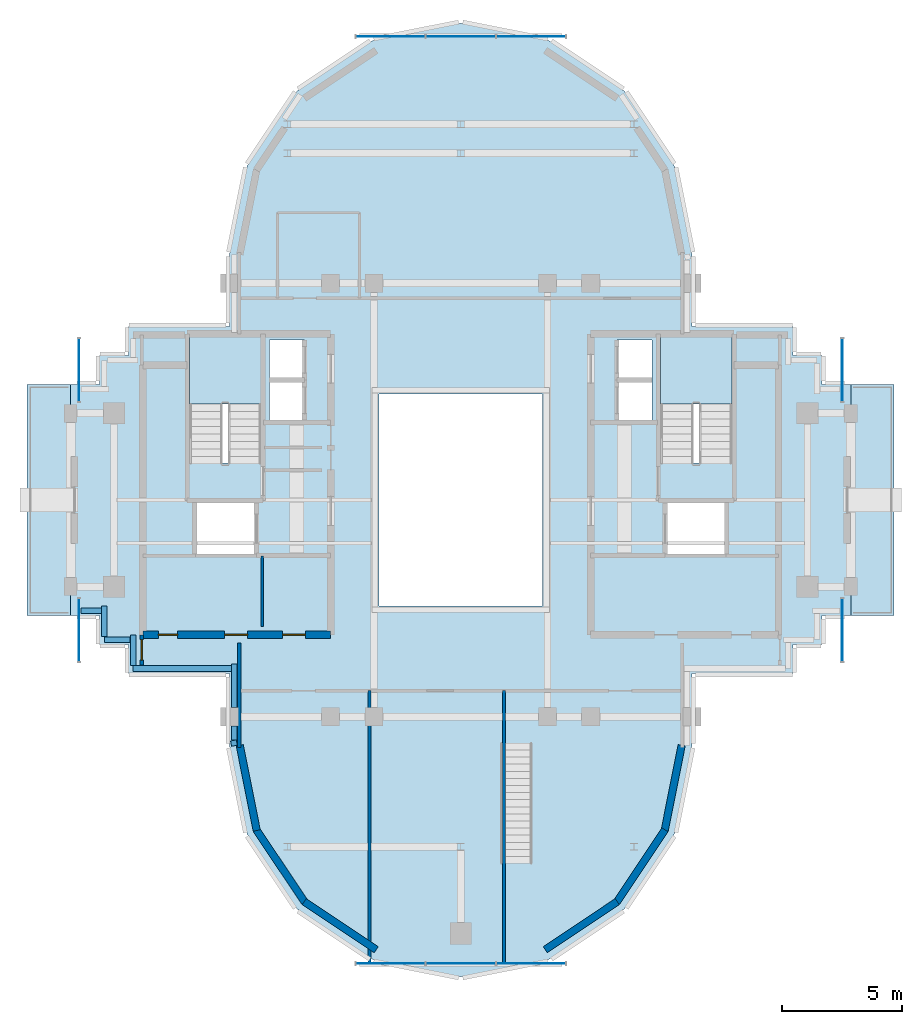
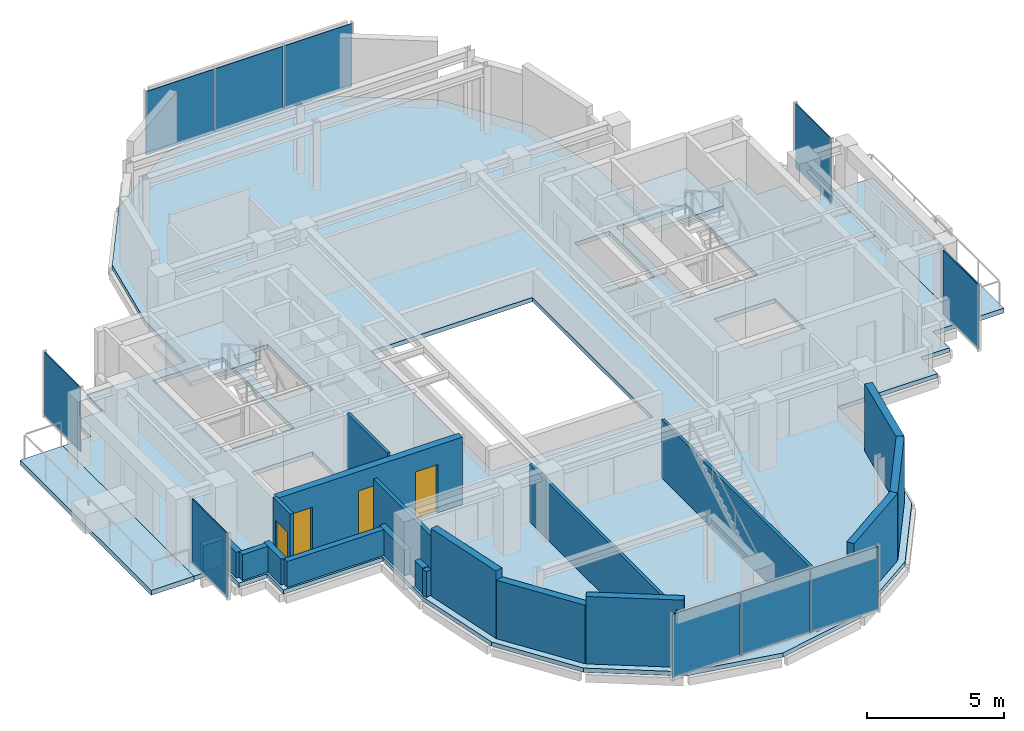
# One storey, part 6 of 12: 20 walls, 10 plates, 5 slabs, 4 doors, 4 openings, 8 elements without a shape of their own.
"""IFC4 building model written with IfcOpenShell, lengths in metres."""

import ifcopenshell
import ifcopenshell.guid

model = None  # the IFC model being written
_history = None  # IfcOwnerHistory: only IFC2X3 demands one
_inside = {}  # id of a spatial element -> (the spatial element, [elements in it])
_under = {}  # id of a project, library or spatial element -> (it, [spatial elements below it])
_declared = {}  # id of a project -> (the project, [libraries it declares])
_typed = {}  # id of a type object -> (the type object, [elements of that type])
_made_of = {}  # id of a material, layer set ... -> (it, [elements and type objects made of it])


def new_model(schema):
    """Start an empty IFC model of exactly this schema.

    Asked for "IFC4X3", IfcOpenShell would pick the latest addendum, in which some entities
    have other attributes; the version numbers below select the first issue.
    IFC2X3 requires an IfcOwnerHistory on every rooted entity: one is made here for all.
    """
    global model, _history
    if schema == "IFC4X3":
        model = ifcopenshell.file(schema_version=(4, 3, 0, 0))
    else:
        model = ifcopenshell.file(schema=schema)
    _inside.clear()
    _under.clear()
    _declared.clear()
    _typed.clear()
    _made_of.clear()
    _history = None
    if model.schema == "IFC2X3":
        org = make("IfcOrganization", Name="unknown")
        user = make(
            "IfcPersonAndOrganization",
            ThePerson=make("IfcPerson", FamilyName="unknown"),
            TheOrganization=org,
        )
        app = make(
            "IfcApplication",
            ApplicationDeveloper=org,
            Version="unknown",
            ApplicationFullName="unknown",
            ApplicationIdentifier="unknown",
        )
        _history = make(
            "IfcOwnerHistory",
            OwningUser=user,
            OwningApplication=app,
            ChangeAction="ADDED",
            CreationDate=0,
        )
    return model


def make(cls, **values):
    """One entity of the class cls with the attributes given. An attribute that is None is left unset."""
    return model.create_entity(
        cls, **{name: value for name, value in values.items() if value is not None}
    )


def rooted(cls, **values):
    """An entity with a GlobalId (a new one), such as an element, a storey or a relation."""
    return make(cls, GlobalId=ifcopenshell.guid.new(), OwnerHistory=_history, **values)


def si_unit(unit_type, name, prefix=None):
    """IfcSIUnit, for example si_unit("LENGTHUNIT", "METRE", prefix="MILLI")."""
    return make("IfcSIUnit", UnitType=unit_type, Prefix=prefix, Name=name)


def assignment(units):
    """IfcUnitAssignment: the units of a project."""
    return None if units is None else make("IfcUnitAssignment", Units=units)


def point(xyz):
    """IfcCartesianPoint."""
    return None if xyz is None else make("IfcCartesianPoint", Coordinates=xyz)


def direction(xyz):
    """IfcDirection."""
    return None if xyz is None else make("IfcDirection", DirectionRatios=xyz)


def frame(location, z_axis=None, x_axis=None):
    """IfcAxis2Placement3D, a coordinate frame: its origin and axes. An axis left out is left unset."""
    return make(
        "IfcAxis2Placement3D",
        Location=point(location),
        Axis=direction(z_axis),
        RefDirection=direction(x_axis),
    )


def frame_2d(location, x_axis=None):
    """IfcAxis2Placement2D, a coordinate frame in the plane: its origin and x axis."""
    return make(
        "IfcAxis2Placement2D", Location=point(location), RefDirection=direction(x_axis)
    )


def origin():
    """The frame at (0, 0, 0) with its axes left unset."""
    return frame((0.0, 0.0, 0.0))


def origin_2d():
    """The frame at (0, 0) in the plane with its x axis left unset."""
    return frame_2d((0.0, 0.0))


def place(relative_to, where):
    """IfcLocalPlacement: puts the frame where relative to a parent placement (None: the world)."""
    return make(
        "IfcLocalPlacement", PlacementRelTo=relative_to, RelativePlacement=where
    )


def context(
    kind, dimensions, precision=None, world=None, true_north=None, identifier=None
):
    """IfcGeometricRepresentationContext, for example the 3D "Model" context."""
    return make(
        "IfcGeometricRepresentationContext",
        ContextIdentifier=identifier,
        ContextType=kind,
        CoordinateSpaceDimension=dimensions,
        Precision=precision,
        WorldCoordinateSystem=world,
        TrueNorth=true_north,
    )


def subcontext(parent, identifier, kind, view, scale=None):
    """IfcGeometricRepresentationSubContext, for example "Body" below "Model"."""
    return make(
        "IfcGeometricRepresentationSubContext",
        ContextIdentifier=identifier,
        ContextType=kind,
        ParentContext=parent,
        TargetScale=scale,
        TargetView=view,
    )


def project(units=None, contexts=None):
    """IfcProject with its units and contexts."""
    return rooted(
        "IfcProject",
        Name="project",
        RepresentationContexts=contexts,
        UnitsInContext=assignment(units),
    )


def spatial(cls, under=None, at=None, **own):
    """A site, building, storey or space (cls), placed at a placement, below another one or the project."""
    s = rooted(cls, ObjectPlacement=at, **own)
    if under is not None:
        _under.setdefault(under.id(), (under, []))[1].append(s)
    return s


def polyline(points):
    """IfcPolyline through the points."""
    return make("IfcPolyline", Points=[point(p) for p in points])


def profile(cls, at=None, kind="AREA", **sizes):
    """A parametric profile (cls). Its sizes go by their IFC names, for example OverallWidth=200.0."""
    return make(cls, ProfileType=kind, Position=at, **sizes)


def rectangle(**sizes):
    """IfcRectangleProfileDef."""
    return profile("IfcRectangleProfileDef", **sizes)


def outline(outer, holes=None, kind="AREA"):
    """IfcArbitraryClosedProfileDef: a profile drawn as a closed curve; with holes, ...WithVoids."""
    if holes is None:
        return make("IfcArbitraryClosedProfileDef", ProfileType=kind, OuterCurve=outer)
    return make(
        "IfcArbitraryProfileDefWithVoids",
        ProfileType=kind,
        OuterCurve=outer,
        InnerCurves=holes,
    )


def extrude(swept, where, along, depth):
    """IfcExtrudedAreaSolid: the profile swept, set in the frame where, extruded along a direction by depth."""
    return make(
        "IfcExtrudedAreaSolid",
        SweptArea=swept,
        Position=where,
        ExtrudedDirection=direction(along),
        Depth=depth,
    )


def shape(context_of_items, identifier, shape_type, items):
    """IfcShapeRepresentation: the items that make up one representation, for example the "Body"."""
    return make(
        "IfcShapeRepresentation",
        ContextOfItems=context_of_items,
        RepresentationIdentifier=identifier,
        RepresentationType=shape_type,
        Items=items,
    )


def source(mapping_origin, context_of_items, identifier, shape_type, items):
    """IfcRepresentationMap: a shape defined once, which mapped items show again and again."""
    return make(
        "IfcRepresentationMap",
        MappingOrigin=mapping_origin,
        MappedRepresentation=shape(context_of_items, identifier, shape_type, items),
    )


def transform(
    local_origin,
    x_axis=None,
    y_axis=None,
    z_axis=None,
    scale=None,
    scale2=None,
    scale3=None,
    uniform=True,
):
    """IfcCartesianTransformationOperator3D, or its non-uniform kind. x_axis, y_axis, z_axis: its Axis1, 2, 3."""
    if uniform:
        return make(
            "IfcCartesianTransformationOperator3D",
            Axis1=direction(x_axis),
            Axis2=direction(y_axis),
            LocalOrigin=point(local_origin),
            Scale=scale,
            Axis3=direction(z_axis),
        )
    return make(
        "IfcCartesianTransformationOperator3DnonUniform",
        Axis1=direction(x_axis),
        Axis2=direction(y_axis),
        LocalOrigin=point(local_origin),
        Scale=scale,
        Axis3=direction(z_axis),
        Scale2=scale2,
        Scale3=scale3,
    )


def mapped(mapping_source, mapping_target):
    """IfcMappedItem: shows the shape of a source again, moved by a transform."""
    return make(
        "IfcMappedItem", MappingSource=mapping_source, MappingTarget=mapping_target
    )


def material(Name=None, Category=None):
    """IfcMaterial."""
    return make("IfcMaterial", Name=Name, Category=Category)


def layer(
    of_material, thickness, ventilated=None, Name=None, Category=None, Priority=None
):
    """IfcMaterialLayer: one layer of a wall or slab, of a material (None: an air gap)."""
    return make(
        "IfcMaterialLayer",
        Material=of_material,
        LayerThickness=thickness,
        IsVentilated=ventilated,
        Name=Name,
        Category=Category,
        Priority=Priority,
    )


def layer_set(layers, Name=None):
    """IfcMaterialLayerSet."""
    return make("IfcMaterialLayerSet", MaterialLayers=layers, LayerSetName=Name)


def made_of(thing, what):
    """Note that an element or type object is made of a material, layer set ...; save() writes the relation."""
    if what is not None:
        _made_of.setdefault(what.id(), (what, []))[1].append(thing)
    return thing


def type_object(cls, material=None, **own):
    """A type object (cls), such as IfcWallType, which elements share."""
    return made_of(rooted(cls, **own), material)


def element(
    cls,
    number,
    at=None,
    inside=None,
    cuts=None,
    type_object=None,
    material=None,
    context=None,
    identifier="Body",
    shape_type=None,
    held_by="IfcProductDefinitionShape",
    body=None,
    shapes=None,
    **own,
):
    """One element of the class cls, such as IfcWall. Its Tag is "e" and its number.

    at: its placement. inside: the storey or other place that contains it. cuts: it is an
    opening in that element (IfcRelVoidsElement). A single representation is given by context,
    identifier, shape_type and body (its items); several are given by shapes. held_by: the class
    of the entity that holds the representations. save() writes the other relations.
    """
    e = rooted(cls, Tag="e%d" % number, ObjectPlacement=at, **own)
    if body is not None:
        shapes = [shape(context, identifier, shape_type, body)]
    if shapes is not None:
        e.Representation = make(held_by, Representations=shapes)
    if inside is not None:
        _inside.setdefault(inside.id(), (inside, []))[1].append(e)
    if cuts is not None:
        rooted(
            "IfcRelVoidsElement", RelatingBuildingElement=cuts, RelatedOpeningElement=e
        )
    if type_object is not None:
        _typed.setdefault(type_object.id(), (type_object, []))[1].append(e)
    return made_of(e, material)


def fill(opening, filler):
    """IfcRelFillsElement: the door or window that sits in an opening."""
    return rooted(
        "IfcRelFillsElement",
        RelatingOpeningElement=opening,
        RelatedBuildingElement=filler,
    )


def aggregate(whole, parts):
    """IfcRelAggregates: a whole, such as a stair, and the parts it consists of."""
    return rooted("IfcRelAggregates", RelatingObject=whole, RelatedObjects=parts)


def save(model, path):
    """Write the relations noted so far, then the file.

    IfcRelAggregates (storeys below a building ...), IfcRelContainedInSpatialStructure (elements
    in a storey), IfcRelDefinesByType, IfcRelAssociatesMaterial and IfcRelDeclares: one each for
    every whole, place, type object, material and project.
    """
    for whole, parts in _under.values():
        aggregate(whole, parts)
    for where, things in _inside.values():
        rooted(
            "IfcRelContainedInSpatialStructure",
            RelatedElements=things,
            RelatingStructure=where,
        )
    for kind, things in _typed.values():
        rooted("IfcRelDefinesByType", RelatedObjects=things, RelatingType=kind)
    for what, things in _made_of.values():
        rooted("IfcRelAssociatesMaterial", RelatedObjects=things, RelatingMaterial=what)
    for by, libraries in _declared.values():
        rooted("IfcRelDeclares", RelatingContext=by, RelatedDefinitions=libraries)
    model.write(path)


model = new_model("IFC4")

# Units and contexts
model_context = context("Model", 3, precision=1e-05, world=origin(), true_north=direction((0.0, 1.0)))
body_context = subcontext(model_context, "Body", "Model", "MODEL_VIEW")
ifc_project = project(units=[si_unit("LENGTHUNIT", "METRE"), si_unit("AREAUNIT", "SQUARE_METRE"), si_unit("VOLUMEUNIT", "CUBIC_METRE"), si_unit("PLANEANGLEUNIT", "RADIAN"), si_unit("MASSUNIT", "GRAM", prefix="KILO")], contexts=[model_context])

# Site, building, storey
site_placement = place(None, origin())
site = spatial("IfcSite", under=ifc_project, at=site_placement, CompositionType="ELEMENT")
building_placement = place(site_placement, origin())
building = spatial("IfcBuilding", under=site, at=building_placement, Name="Keilestroom Media Tower", CompositionType="ELEMENT")
storey_placement = place(building_placement, frame((0.0, 0.0, 252.39990234375)))
storey = spatial("IfcBuildingStorey", under=building, at=storey_placement, Name="L70", CompositionType="ELEMENT", Elevation=252.39990234375)

# Slabs
ifc_material_1 = material(Name="Concrete C50/60", Category="concrete")
ifc_layer_1 = layer(ifc_material_1, 0.18994140625)
ifc_layer_set_1 = layer_set([ifc_layer_1], Name="Concrete C50/60")
slab_type_1 = type_object("IfcSlabType", Name="Composite-Floor-Slab-190", PredefinedType="FLOOR", material=ifc_layer_set_1)
slab_1_placement = place(storey_placement, frame((0.0, 0.0, -0.18994140625)))
element("IfcSlab", 1, at=slab_1_placement, inside=storey, type_object=slab_type_1, Name="L70 Structural Composite Floor Slab", PredefinedType="FLOOR", context=body_context, shape_type="SweptSolid", body=[
    extrude(outline(polyline([(16.199951171875, -4.800048828125), (16.199951171875, 4.800048828125), (15.0, 4.800048828125), (15.0, 6.0), (13.800048828125, 6.0), (13.800048828125, 7.199951171875), (9.60009765625, 7.199951171875), (9.60009765625, 9.60009765625), (9.60009765625, 10.199951171875), (8.869140625, 13.873779296875), (6.7880859375, 16.98828125), (3.673828125, 19.069091796875), (0.0, 19.800048828125), (-3.673828125, 19.069091796875), (-6.7880859375, 16.98828125), (-8.869140625, 13.873779296875), (-9.60009765625, 10.199951171875), (-9.60009765625, 9.60009765625), (-9.60009765625, 7.199951171875), (-13.800048828125, 7.199951171875), (-13.800048828125, 6.0), (-15.0, 6.0), (-15.0, 4.800048828125), (-16.199951171875, 4.800048828125), (-16.199951171875, -4.800048828125), (-15.0, -4.800048828125), (-15.0, -6.0), (-13.800048828125, -6.0), (-13.800048828125, -7.199951171875), (-9.60009765625, -7.199951171875), (-9.60009765625, -9.60009765625), (-9.60009765625, -10.199951171875), (-8.869140625, -13.873779296875), (-6.7880859375, -16.98828125), (-3.673828125, -19.069091796875), (0.0, -19.800048828125), (3.673828125, -19.069091796875), (6.7880859375, -16.98828125), (8.869140625, -13.873779296875), (9.60009765625, -10.199951171875), (9.60009765625, -9.60009765625), (9.60009765625, -7.199951171875), (13.800048828125, -7.199951171875), (13.800048828125, -6.0), (15.0, -6.0), (15.0, -4.800048828125), (16.199951171875, -4.800048828125)]), holes=[polyline([(-8.300048828125, 1.544921875), (-11.260009765625, 1.544921875), (-11.260009765625, 6.760009765625), (-8.300048828125, 6.760009765625), (-8.300048828125, 1.544921875)]), polyline([(-8.47998046875, -2.280029296875), (-11.050048828125, -2.280029296875), (-11.050048828125, -0.10009765625), (-8.47998046875, -0.10009765625), (-8.47998046875, -2.280029296875)]), polyline([(-6.47998046875, 3.300048828125), (-7.949951171875, 3.300048828125), (-7.949951171875, 6.64990234375), (-6.47998046875, 6.64990234375), (-6.47998046875, 3.300048828125)]), polyline([(3.39990234375, -4.39990234375), (-3.39990234375, -4.39990234375), (-3.39990234375, 4.39990234375), (3.39990234375, 4.39990234375), (3.39990234375, -4.39990234375)]), polyline([(7.949951171875, 3.300048828125), (6.47998046875, 3.300048828125), (6.47998046875, 6.64990234375), (7.949951171875, 6.64990234375), (7.949951171875, 3.300048828125)]), polyline([(11.260009765625, 1.544921875), (8.300048828125, 1.544921875), (8.300048828125, 6.760009765625), (11.260009765625, 6.760009765625), (11.260009765625, 1.544921875)]), polyline([(11.050048828125, -2.280029296875), (8.47998046875, -2.280029296875), (8.47998046875, -0.10009765625), (11.050048828125, -0.10009765625), (11.050048828125, -2.280029296875)])]), origin(), (0.0, 0.0, 1.0), 0.18994140625),
])
ifc_material_2 = material(Name="Concrete C45/55", Category="concrete")
ifc_layer_2 = layer(ifc_material_2, 0.219970703125)
ifc_layer_set_2 = layer_set([ifc_layer_2], Name="Concrete C45/55")
slab_type_2 = type_object("IfcSlabType", Name="Exterior-Terrace-And-Sky-Garden-Slab-220", PredefinedType="FLOOR", material=ifc_layer_set_2)
slab_2_placement = place(storey_placement, frame((0.0, 0.0, -0.219970703125)))
element("IfcSlab", 2, at=slab_2_placement, inside=storey, type_object=slab_type_2, Name="L70 Planted Sky-Garden Terrace Slab L70-CUP-TERR-W", PredefinedType="FLOOR", context=body_context, shape_type="SweptSolid", body=[
    extrude(outline(polyline([(-18.0, -4.800048828125), (-16.199951171875, -4.800048828125), (-16.199951171875, 4.800048828125), (-18.0, 4.800048828125), (-18.0, -4.800048828125)])), origin(), (0.0, 0.0, 1.0), 0.219970703125),
])
slab_3_placement = place(storey_placement, frame((0.0, 0.0, -0.219970703125)))
element("IfcSlab", 3, at=slab_3_placement, inside=storey, type_object=slab_type_2, Name="L70 Planted Sky-Garden Terrace Slab L70-CUP-TERR-E", PredefinedType="FLOOR", context=body_context, shape_type="SweptSolid", body=[
    extrude(outline(polyline([(16.199951171875, -4.800048828125), (18.0, -4.800048828125), (18.0, 4.800048828125), (16.199951171875, 4.800048828125), (16.199951171875, -4.800048828125)])), origin(), (0.0, 0.0, 1.0), 0.219970703125),
])

# Stair, slab
stair_type = type_object("IfcStairType", Name="Enclosed-Dog-Leg-Stair-ST-CORE", PredefinedType="HALF_TURN_STAIR", material=ifc_material_2)
stair_1_placement = place(storey_placement, origin())
stair_1 = element("IfcStair", 4, at=stair_1_placement, inside=storey, type_object=stair_type, Name="L70 West Core Escape Stair ST-1", PredefinedType="HALF_TURN_STAIR")
ifc_layer_3 = layer(ifc_material_2, 0.199951171875)
ifc_layer_set_3 = layer_set([ifc_layer_3], Name="Concrete C45/55")
slab_type_3 = type_object("IfcSlabType", Name="Stair-Intermediate-And-Top-Landing-Slab-200", PredefinedType="LANDING", material=ifc_layer_set_3)
slab_4_placement = place(storey_placement, frame((0.0, 0.0, 1.400146484375)))
slab_4 = element("IfcSlab", 5, at=slab_4_placement, type_object=slab_type_3, Name="ST-1 landing 1", PredefinedType="LANDING", context=body_context, shape_type="SweptSolid", body=[
    extrude(outline(polyline([(-8.300048828125, 3.99609375), (-8.300048828125, 6.760009765625), (-11.260009765625, 6.760009765625), (-11.260009765625, 3.99609375), (-8.300048828125, 3.99609375)])), origin(), (0.0, 0.0, 1.0), 0.199951171875),
])
aggregate(stair_1, [slab_4])

stair_2_placement = place(storey_placement, origin())
stair_2 = element("IfcStair", 6, at=stair_2_placement, inside=storey, type_object=stair_type, Name="L70 East Core Escape Stair ST-2", PredefinedType="HALF_TURN_STAIR")
slab_5_placement = place(storey_placement, frame((0.0, 0.0, 1.400146484375)))
slab_5 = element("IfcSlab", 7, at=slab_5_placement, type_object=slab_type_3, Name="ST-2 landing 1", PredefinedType="LANDING", context=body_context, shape_type="SweptSolid", body=[
    extrude(outline(polyline([(11.260009765625, 3.99609375), (11.260009765625, 6.760009765625), (8.300048828125, 6.760009765625), (8.300048828125, 3.99609375), (11.260009765625, 3.99609375)])), origin(), (0.0, 0.0, 1.0), 0.199951171875),
])
aggregate(stair_2, [slab_5])

# Curtain wall, plates
ifc_material_3 = material(Name="Anodised Aluminium Alloy", Category="aluminium")
curtain_wall_type_1 = type_object("IfcCurtainWallType", Name="Unitised-Curtain-Wall-CW-6", PredefinedType="NOTDEFINED", material=ifc_material_3)
curtain_wall_1_placement = place(storey_placement, origin())
curtain_wall_1 = element("IfcCurtainWall", 8, at=curtain_wall_1_placement, inside=storey, type_object=curtain_wall_type_1, Name="L70 Curtain Wall CW-6 CW-L70-LN-1", PredefinedType="NOTDEFINED")
ifc_material_4 = material(Name="Curved-Facet Triple Glazed Unit", Category="glass")
ifc_layer_4 = layer(ifc_material_4, 0.033935546875)
ifc_layer_set_4 = layer_set([ifc_layer_4], Name="Curved-Facet Triple Glazed Unit")
plate_type_1 = type_object("IfcPlateType", Name="Insulated-Curtain-Wall-Glazing-Panel-CW-6", PredefinedType="CURTAIN_PANEL", material=ifc_layer_set_4)
shared_shape_1 = source(origin(), body_context, "Body", "SweptSolid", [
    extrude(rectangle(XDim=2.84375, YDim=0.033935546875, at=origin_2d()), origin(), (0.0, 0.0, 1.0), 2.833984375),
])
plate_1_placement = place(storey_placement, frame((-2.9169921875, 19.25, 0.072998046875), z_axis=(0.0, 0.0, 1.0), x_axis=(1.0, 0.0, 0.0)))
plate_1 = element("IfcPlate", 9, at=plate_1_placement, type_object=plate_type_1, Name="CW-6 Unitised Glazing 00", PredefinedType="CURTAIN_PANEL", context=body_context, shape_type="MappedRepresentation", body=[
    mapped(shared_shape_1, transform((0.0, 0.0, 0.0), x_axis=(1.0, 0.0, 0.0), y_axis=(0.0, 1.0, 0.0), z_axis=(0.0, 0.0, 1.0), scale=1.0)),
])
plate_2_placement = place(storey_placement, frame((2.9169921875, 19.25, 0.072998046875), z_axis=(0.0, 0.0, 1.0), x_axis=(1.0, 0.0, 0.0)))
plate_2 = element("IfcPlate", 10, at=plate_2_placement, type_object=plate_type_1, Name="CW-6 Unitised Glazing 02", PredefinedType="CURTAIN_PANEL", context=body_context, shape_type="MappedRepresentation", body=[
    mapped(shared_shape_1, transform((0.0, 0.0, 0.0), x_axis=(1.0, 0.0, 0.0), y_axis=(0.0, 1.0, 0.0), z_axis=(0.0, 0.0, 1.0), scale=1.0)),
])

curtain_wall_2_placement = place(storey_placement, origin())
curtain_wall_2 = element("IfcCurtainWall", 11, at=curtain_wall_2_placement, inside=storey, type_object=curtain_wall_type_1, Name="L70 Curtain Wall CW-6 CW-L70-LS-1", PredefinedType="NOTDEFINED")
plate_3_placement = place(storey_placement, frame((-2.9169921875, -19.25, 0.072998046875), z_axis=(0.0, 0.0, 1.0), x_axis=(1.0, 0.0, 0.0)))
plate_3 = element("IfcPlate", 12, at=plate_3_placement, type_object=plate_type_1, Name="CW-6 Unitised Glazing 00", PredefinedType="CURTAIN_PANEL", context=body_context, shape_type="MappedRepresentation", body=[
    mapped(shared_shape_1, transform((0.0, 0.0, 0.0), x_axis=(1.0, 0.0, 0.0), y_axis=(0.0, 1.0, 0.0), z_axis=(0.0, 0.0, 1.0), scale=1.0)),
])
plate_4_placement = place(storey_placement, frame((2.9169921875, -19.25, 0.072998046875), z_axis=(0.0, 0.0, 1.0), x_axis=(1.0, 0.0, 0.0)))
plate_4 = element("IfcPlate", 13, at=plate_4_placement, type_object=plate_type_1, Name="CW-6 Unitised Glazing 02", PredefinedType="CURTAIN_PANEL", context=body_context, shape_type="MappedRepresentation", body=[
    mapped(shared_shape_1, transform((0.0, 0.0, 0.0), x_axis=(1.0, 0.0, 0.0), y_axis=(0.0, 1.0, 0.0), z_axis=(0.0, 0.0, 1.0), scale=1.0)),
])

# Plate
shared_shape_2 = source(origin(), body_context, "Body", "SweptSolid", [
    extrude(rectangle(XDim=2.876220703125, YDim=0.033935546875, at=origin_2d()), origin(), (0.0, 0.0, 1.0), 2.833984375),
])
plate_5_placement = place(storey_placement, frame((0.0, 19.25, 0.072998046875), z_axis=(0.0, 0.0, 1.0), x_axis=(1.0, 0.0, 0.0)))
plate_5 = element("IfcPlate", 14, at=plate_5_placement, type_object=plate_type_1, Name="CW-6 Unitised Glazing 01", PredefinedType="CURTAIN_PANEL", context=body_context, shape_type="MappedRepresentation", body=[
    mapped(shared_shape_2, transform((0.0, 0.0, 0.0), x_axis=(1.0, 0.0, 0.0), y_axis=(0.0, 1.0, 0.0), z_axis=(0.0, 0.0, 1.0), scale=1.0)),
])

aggregate(curtain_wall_1, [plate_1, plate_5, plate_2])

plate_6_placement = place(storey_placement, frame((0.0, -19.25, 0.072998046875), z_axis=(0.0, 0.0, 1.0), x_axis=(1.0, 0.0, 0.0)))
plate_6 = element("IfcPlate", 15, at=plate_6_placement, type_object=plate_type_1, Name="CW-6 Unitised Glazing 01", PredefinedType="CURTAIN_PANEL", context=body_context, shape_type="MappedRepresentation", body=[
    mapped(shared_shape_2, transform((0.0, 0.0, 0.0), x_axis=(1.0, 0.0, 0.0), y_axis=(0.0, 1.0, 0.0), z_axis=(0.0, 0.0, 1.0), scale=1.0)),
])

aggregate(curtain_wall_2, [plate_3, plate_6, plate_4])

# Curtain wall, plate
curtain_wall_type_2 = type_object("IfcCurtainWallType", Name="Unitised-Curtain-Wall-CW-4", PredefinedType="NOTDEFINED", material=ifc_material_3)
curtain_wall_3_placement = place(storey_placement, origin())
curtain_wall_3 = element("IfcCurtainWall", 16, at=curtain_wall_3_placement, inside=storey, type_object=curtain_wall_type_2, Name="L70 Curtain Wall CW-4 CW-L70-W-1", PredefinedType="NOTDEFINED")
ifc_material_5 = material(Name="Triple Glazed Solar-Control Unit", Category="glass")
ifc_layer_5 = layer(ifc_material_5, 0.035888671875)
ifc_layer_set_5 = layer_set([ifc_layer_5], Name="Triple Glazed Solar-Control Unit")
plate_type_2 = type_object("IfcPlateType", Name="Insulated-Curtain-Wall-Glazing-Panel-CW-4", PredefinedType="CURTAIN_PANEL", material=ifc_layer_set_5)
shared_shape_3 = source(origin(), body_context, "Body", "SweptSolid", [
    extrude(rectangle(XDim=2.60302734375, YDim=0.035888671875, at=origin_2d()), origin(), (0.0, 0.0, 1.0), 2.85400390625),
])
plate_7_placement = place(storey_placement, frame((-15.85009765625, -5.392578125, 0.06298828125), z_axis=(0.0, 0.0, 1.0), x_axis=(0.0, 1.0, 0.0)))
plate_7 = element("IfcPlate", 17, at=plate_7_placement, type_object=plate_type_2, Name="CW-4 Unitised Glazing 00", PredefinedType="CURTAIN_PANEL", context=body_context, shape_type="MappedRepresentation", body=[
    mapped(shared_shape_3, transform((0.0, 0.0, 0.0), x_axis=(1.0, 0.0, 0.0), y_axis=(0.0, 1.0, 0.0), z_axis=(0.0, 0.0, 1.0), scale=1.0)),
])
aggregate(curtain_wall_3, [plate_7])

curtain_wall_4_placement = place(storey_placement, origin())
curtain_wall_4 = element("IfcCurtainWall", 18, at=curtain_wall_4_placement, inside=storey, type_object=curtain_wall_type_2, Name="L70 Curtain Wall CW-4 CW-L70-W-2", PredefinedType="NOTDEFINED")
plate_8_placement = place(storey_placement, frame((-15.85009765625, 5.392578125, 0.06298828125), z_axis=(0.0, 0.0, 1.0), x_axis=(0.0, 1.0, 0.0)))
plate_8 = element("IfcPlate", 19, at=plate_8_placement, type_object=plate_type_2, Name="CW-4 Unitised Glazing 00", PredefinedType="CURTAIN_PANEL", context=body_context, shape_type="MappedRepresentation", body=[
    mapped(shared_shape_3, transform((0.0, 0.0, 0.0), x_axis=(1.0, 0.0, 0.0), y_axis=(0.0, 1.0, 0.0), z_axis=(0.0, 0.0, 1.0), scale=1.0)),
])
aggregate(curtain_wall_4, [plate_8])

curtain_wall_5_placement = place(storey_placement, origin())
curtain_wall_5 = element("IfcCurtainWall", 20, at=curtain_wall_5_placement, inside=storey, type_object=curtain_wall_type_2, Name="L70 Curtain Wall CW-4 CW-L70-E-1", PredefinedType="NOTDEFINED")
plate_9_placement = place(storey_placement, frame((15.85009765625, -5.392578125, 0.06298828125), z_axis=(0.0, 0.0, 1.0), x_axis=(0.0, 1.0, 0.0)))
plate_9 = element("IfcPlate", 21, at=plate_9_placement, type_object=plate_type_2, Name="CW-4 Unitised Glazing 00", PredefinedType="CURTAIN_PANEL", context=body_context, shape_type="MappedRepresentation", body=[
    mapped(shared_shape_3, transform((0.0, 0.0, 0.0), x_axis=(1.0, 0.0, 0.0), y_axis=(0.0, 1.0, 0.0), z_axis=(0.0, 0.0, 1.0), scale=1.0)),
])
aggregate(curtain_wall_5, [plate_9])

curtain_wall_6_placement = place(storey_placement, origin())
curtain_wall_6 = element("IfcCurtainWall", 22, at=curtain_wall_6_placement, inside=storey, type_object=curtain_wall_type_2, Name="L70 Curtain Wall CW-4 CW-L70-E-2", PredefinedType="NOTDEFINED")
plate_10_placement = place(storey_placement, frame((15.85009765625, 5.392578125, 0.06298828125), z_axis=(0.0, 0.0, 1.0), x_axis=(0.0, 1.0, 0.0)))
plate_10 = element("IfcPlate", 23, at=plate_10_placement, type_object=plate_type_2, Name="CW-4 Unitised Glazing 00", PredefinedType="CURTAIN_PANEL", context=body_context, shape_type="MappedRepresentation", body=[
    mapped(shared_shape_3, transform((0.0, 0.0, 0.0), x_axis=(1.0, 0.0, 0.0), y_axis=(0.0, 1.0, 0.0), z_axis=(0.0, 0.0, 1.0), scale=1.0)),
])
aggregate(curtain_wall_6, [plate_10])

# Walls
ifc_material_6 = material(Name="Precast concrete C40/50", Category="concrete")
ifc_layer_6 = layer(ifc_material_6, 0.300048828125)
ifc_layer_set_6 = layer_set([ifc_layer_6], Name="Precast concrete C40/50")
wall_type_1 = type_object("IfcWallType", Name="Exterior-Masonry-Spandrel-Wall-300", PredefinedType="SOLIDWALL", material=ifc_layer_set_6)
wall_1_placement = place(storey_placement, frame((-9.1748046875, -10.185302734375, 0.0), z_axis=(0.0, 0.0, 1.0), x_axis=(0.195114232679, -0.980780523974, 0.0)))
element("IfcWall", 24, at=wall_1_placement, inside=storey, type_object=wall_type_1, Name="L70 Lobe Facet Precast Frame Wall 07", PredefinedType="SOLIDWALL", context=body_context, shape_type="SweptSolid", body=[
    extrude(rectangle(XDim=3.608642578125, YDim=0.300048828125, at=frame_2d((1.80419921875, 0.0))), origin(), (0.0, 0.0, 1.0), 3.010009765625),
])
wall_2_placement = place(storey_placement, frame((-8.48193359375, -13.697509765625, 0.0), z_axis=(0.0, 0.0, 1.0), x_axis=(0.555574187116, -0.831466970246, 0.0)))
element("IfcWall", 25, at=wall_2_placement, inside=storey, type_object=wall_type_1, Name="L70 Lobe Facet Precast Frame Wall 08", PredefinedType="SOLIDWALL", context=body_context, shape_type="SweptSolid", body=[
    extrude(rectangle(XDim=3.608642578125, YDim=0.300048828125, at=frame_2d((1.80419921875, 0.0))), origin(), (0.0, 0.0, 1.0), 2.610107421875),
])
for number, where, z_axis, x_axis, name in (
    (26, (-6.497802734375, -16.677001953125, 0.0), (0.0, 0.0, 1.0), (0.831443568068, -0.555609208993, 0.0), "L70 Lobe Facet Precast Frame Wall 09"),
    (27, (3.510009765625, -18.673583984375, 0.0), (0.0, 0.0, 1.0), (0.831443568068, 0.555609208993, 0.0), "L70 Lobe Facet Precast Frame Wall 10"),
):
    element("IfcWall", number, at=place(storey_placement, frame(where, z_axis=z_axis, x_axis=x_axis)), inside=storey, type_object=wall_type_1, Name=name, PredefinedType="SOLIDWALL", context=body_context, shape_type="SweptSolid", body=[
        extrude(rectangle(XDim=3.593505859375, YDim=0.300048828125, at=frame_2d((1.796875, 0.0))), origin(), (0.0, 0.0, 1.0), 3.010009765625),
    ])
for number, where, z_axis, x_axis, name in (
    (28, (6.47705078125, -16.697998046875, 0.0), (0.0, 0.0, 1.0), (0.555574187116, 0.831466970246, 0.0), "L70 Lobe Facet Precast Frame Wall 11"),
    (29, (8.470703125, -13.724609375, 0.0), (0.0, 0.0, 1.0), (0.195114232679, 0.980780523974, 0.0), "L70 Lobe Facet Precast Frame Wall 12"),
):
    element("IfcWall", number, at=place(storey_placement, frame(where, z_axis=z_axis, x_axis=x_axis)), inside=storey, type_object=wall_type_1, Name=name, PredefinedType="SOLIDWALL", context=body_context, shape_type="SweptSolid", body=[
        extrude(rectangle(XDim=3.608642578125, YDim=0.300048828125, at=frame_2d((1.80419921875, 0.0))), origin(), (0.0, 0.0, 1.0), 3.010009765625),
    ])
ifc_material_7 = material(Name="Gypsum Plasterboard & Steel Stud", Category="steel")
ifc_layer_7 = layer(ifc_material_7, 0.1201171875)
ifc_layer_set_7 = layer_set([ifc_layer_7], Name="Gypsum Plasterboard & Steel Stud")
wall_type_2 = type_object("IfcWallType", Name="Interior-Partition-Wall-120", PredefinedType="PARTITIONING", material=ifc_layer_set_7)
wall_3_placement = place(storey_placement, frame((-8.239990234375, -5.260009765625, 0.0), z_axis=(0.0, 0.0, 1.0), x_axis=(0.0, 1.0, 0.0)))
element("IfcWall", 30, at=wall_3_placement, inside=storey, type_object=wall_type_2, Name="L70 Interior Wall WP-L70-RECMW-M", PredefinedType="PARTITIONING", context=body_context, shape_type="SweptSolid", body=[
    extrude(rectangle(XDim=2.93994140625, YDim=0.1201171875, at=frame_2d((1.469970703125, 0.0))), origin(), (0.0, 0.0, 1.0), 3.010009765625),
])
wall_4_placement = place(storey_placement, frame((-3.780029296875, -19.25, 0.0), z_axis=(0.0, 0.0, 1.0), x_axis=(0.0, 1.0, 0.0)))
element("IfcWall", 31, at=wall_4_placement, inside=storey, type_object=wall_type_2, Name="L70 Interior Wall WP-L70-SL-V1", PredefinedType="PARTITIONING", context=body_context, shape_type="SweptSolid", body=[
    extrude(rectangle(XDim=11.330078125, YDim=0.1201171875, at=frame_2d((5.6650390625, 0.0))), origin(), (0.0, 0.0, 1.0), 2.570068359375),
])
wall_5_placement = place(storey_placement, frame((1.800048828125, -19.25, 0.0), z_axis=(0.0, 0.0, 1.0), x_axis=(0.0, 1.0, 0.0)))
element("IfcWall", 32, at=wall_5_placement, inside=storey, type_object=wall_type_2, Name="L70 Interior Wall WP-L70-SL-V2", PredefinedType="PARTITIONING", context=body_context, shape_type="SweptSolid", body=[
    extrude(rectangle(XDim=11.330078125, YDim=0.1201171875, at=frame_2d((5.6650390625, 0.0))), origin(), (0.0, 0.0, 1.0), 2.610107421875),
])
ifc_layer_8 = layer(ifc_material_7, 0.14990234375)
ifc_layer_set_8 = layer_set([ifc_layer_8], Name="Gypsum Plasterboard & Steel Stud")
wall_type_3 = type_object("IfcWallType", Name="Interior-Partition-Wall-150", PredefinedType="PARTITIONING", material=ifc_layer_set_8)
wall_6_placement = place(storey_placement, frame((-9.199951171875, -10.280029296875, 0.0), z_axis=(0.0, 0.0, 1.0), x_axis=(0.0, 1.0, 0.0)))
element("IfcWall", 33, at=wall_6_placement, inside=storey, type_object=wall_type_3, Name="L70 Interior Wall WP-L70-SL-CHKW", PredefinedType="PARTITIONING", context=body_context, shape_type="SweptSolid", body=[
    extrude(rectangle(XDim=4.340087890625, YDim=0.14990234375, at=frame_2d((2.169921875, 0.0))), origin(), (0.0, 0.0, 1.0), 2.610107421875),
])

# Wall, opening, door
wall_7_placement = place(storey_placement, frame((-13.25, -6.85009765625, 0.0), z_axis=(0.0, 0.0, 1.0), x_axis=(0.0, 1.0, 0.0)))
wall_7 = element("IfcWall", 34, at=wall_7_placement, inside=storey, type_object=wall_type_3, Name="L70 Interior Wall WP-L70-WA-ENTS", PredefinedType="PARTITIONING", context=body_context, shape_type="SweptSolid", body=[
    extrude(rectangle(XDim=1.25, YDim=0.14990234375, at=frame_2d((0.625, 0.0))), origin(), (0.0, 0.0, 1.0), 3.010009765625),
])
opening_1_placement = place(wall_7_placement, frame((0.199951171875, 0.0, 0.0)))
opening_1 = element("IfcOpeningElement", 35, at=opening_1_placement, cuts=wall_7, Name="Opening DI-05", PredefinedType="OPENING", context=body_context, shape_type="SweptSolid", body=[
    extrude(rectangle(XDim=0.85009765625, YDim=2.10009765625, at=frame_2d((0.425048828125, 1.050048828125))), frame((0.0, 0.0849609375, 0.0), z_axis=(0.0, -1.0, 0.0), x_axis=(1.0, 0.0, 0.0)), (0.0, 0.0, 1.0), 0.169921875),
])
ifc_material_8 = material(Name="Moisture-Resistant Oak Leaf", Category="wood")
door_type_1 = type_object("IfcDoorType", Name="Interior-En-Suite-And-Cupboard-Door-DI-05", OperationType="NOTDEFINED", PredefinedType="DOOR", material=ifc_material_8)
shared_shape_4 = source(origin(), body_context, "Body", "SweptSolid", [
    extrude(rectangle(XDim=0.85009765625, YDim=2.10009765625, at=frame_2d((0.425048828125, 1.050048828125))), frame((0.0, 0.02490234375, 0.0), z_axis=(0.0, -1.0, 0.0), x_axis=(1.0, 0.0, 0.0)), (0.0, 0.0, 1.0), 0.050048828125),
])
door_1_placement = place(opening_1_placement, origin())
door_1 = element("IfcDoor", 36, at=door_1_placement, inside=storey, type_object=door_type_1, Name="L70 Interior Door DI-L70-DWA-CUP", OperationType="SINGLE_SWING_RIGHT", OverallHeight=2.10009765625, OverallWidth=0.85009765625, PredefinedType="DOOR", context=body_context, shape_type="MappedRepresentation", body=[
    mapped(shared_shape_4, transform((0.0, 0.0, 0.0), x_axis=(1.0, 0.0, 0.0), y_axis=(0.0, 1.0, 0.0), z_axis=(0.0, 0.0, 1.0), scale=1.0)),
])
fill(opening_1, door_1)

# Wall, openings, doors
ifc_layer_9 = layer(ifc_material_1, 0.300048828125)
ifc_layer_set_9 = layer_set([ifc_layer_9], Name="Concrete C50/60")
wall_type_4 = type_object("IfcWallType", Name="Reinforced-Concrete-Core-Shear-Wall-300", PredefinedType="SHEAR", material=ifc_layer_set_9)
wall_8_placement = place(storey_placement, frame((-13.199951171875, -5.60009765625, 0.0), z_axis=(0.0, 0.0, 1.0), x_axis=(1.0, 0.0, 0.0)))
wall_8 = element("IfcWall", 37, at=wall_8_placement, inside=storey, type_object=wall_type_4, Name="L70 Core Shear Wall WL-L70-CORE-W-S", PredefinedType="SHEAR", context=body_context, shape_type="SweptSolid", body=[
    extrude(rectangle(XDim=7.800048828125, YDim=0.300048828125, at=frame_2d((3.89990234375, 0.0))), origin(), (0.0, 0.0, 1.0), 3.010009765625),
])
opening_2_placement = place(wall_8_placement, frame((0.64990234375, 0.0, 0.0)))
opening_2 = element("IfcOpeningElement", 38, at=opening_2_placement, cuts=wall_8, Name="Opening DI-06", PredefinedType="OPENING", context=body_context, shape_type="SweptSolid", body=[
    extrude(rectangle(XDim=0.800048828125, YDim=2.10009765625, at=frame_2d((0.39990234375, 1.050048828125))), frame((0.0, 0.16015625, 0.0), z_axis=(0.0, -1.0, 0.0), x_axis=(1.0, 0.0, 0.0)), (0.0, 0.0, 1.0), 0.320068359375),
])
opening_3_placement = place(wall_8_placement, frame((3.39990234375, 0.0, 0.0)))
opening_3 = element("IfcOpeningElement", 39, at=opening_3_placement, cuts=wall_8, Name="Opening DI-03", PredefinedType="OPENING", context=body_context, shape_type="SweptSolid", body=[
    extrude(rectangle(XDim=0.949951171875, YDim=2.14990234375, at=frame_2d((0.47509765625, 1.074951171875))), frame((0.0, 0.16015625, 0.0), z_axis=(0.0, -1.0, 0.0), x_axis=(1.0, 0.0, 0.0)), (0.0, 0.0, 1.0), 0.320068359375),
])
opening_4_placement = place(wall_8_placement, frame((5.800048828125, 0.0, 0.0)))
opening_4 = element("IfcOpeningElement", 40, at=opening_4_placement, cuts=wall_8, Name="Opening DI-03", PredefinedType="OPENING", context=body_context, shape_type="SweptSolid", body=[
    extrude(rectangle(XDim=0.949951171875, YDim=2.14990234375, at=frame_2d((0.47509765625, 1.074951171875))), frame((0.0, 0.16015625, 0.0), z_axis=(0.0, -1.0, 0.0), x_axis=(1.0, 0.0, 0.0)), (0.0, 0.0, 1.0), 0.320068359375),
])
ifc_material_9 = material(Name="Powder-Coated Steel Service Leaf", Category="steel")
door_type_2 = type_object("IfcDoorType", Name="Interior-Riser-Access-Door-DI-06", OperationType="NOTDEFINED", PredefinedType="DOOR", material=ifc_material_9)
shared_shape_5 = source(origin(), body_context, "Body", "SweptSolid", [
    extrude(rectangle(XDim=0.800048828125, YDim=2.10009765625, at=frame_2d((0.39990234375, 1.050048828125))), frame((0.0, 0.02490234375, 0.0), z_axis=(0.0, -1.0, 0.0), x_axis=(1.0, 0.0, 0.0)), (0.0, 0.0, 1.0), 0.050048828125),
])
door_2_placement = place(opening_2_placement, origin())
door_2 = element("IfcDoor", 41, at=door_2_placement, inside=storey, type_object=door_type_2, Name="L70 Reclaimed West Core Room Door", OperationType="SINGLE_SWING_LEFT", OverallHeight=2.10009765625, OverallWidth=0.800048828125, PredefinedType="DOOR", context=body_context, shape_type="MappedRepresentation", body=[
    mapped(shared_shape_5, transform((0.0, 0.0, 0.0), x_axis=(1.0, 0.0, 0.0), y_axis=(0.0, 1.0, 0.0), z_axis=(0.0, 0.0, 1.0), scale=1.0)),
])
fill(opening_2, door_2)
ifc_material_10 = material(Name="Lacquered European Oak Leaf", Category="wood")
door_type_3 = type_object("IfcDoorType", Name="Interior-Room-And-Suite-Door-DI-03", OperationType="NOTDEFINED", PredefinedType="DOOR", material=ifc_material_10)
shared_shape_6 = source(origin(), body_context, "Body", "SweptSolid", [
    extrude(rectangle(XDim=0.949951171875, YDim=2.14990234375, at=frame_2d((0.47509765625, 1.074951171875))), frame((0.0, 0.02490234375, 0.0), z_axis=(0.0, -1.0, 0.0), x_axis=(1.0, 0.0, 0.0)), (0.0, 0.0, 1.0), 0.050048828125),
])
door_3_placement = place(opening_3_placement, origin())
door_3 = element("IfcDoor", 42, at=door_3_placement, inside=storey, type_object=door_type_3, Name="L70 Reclaimed Mid West Room 1 Door", OperationType="SINGLE_SWING_LEFT", OverallHeight=2.14990234375, OverallWidth=0.949951171875, PredefinedType="DOOR", context=body_context, shape_type="MappedRepresentation", body=[
    mapped(shared_shape_6, transform((0.0, 0.0, 0.0), x_axis=(1.0, 0.0, 0.0), y_axis=(0.0, 1.0, 0.0), z_axis=(0.0, 0.0, 1.0), scale=1.0)),
])
fill(opening_3, door_3)
door_4_placement = place(opening_4_placement, origin())
door_4 = element("IfcDoor", 43, at=door_4_placement, inside=storey, type_object=door_type_3, Name="L70 Reclaimed Mid West Room 2 Door", OperationType="SINGLE_SWING_RIGHT", OverallHeight=2.14990234375, OverallWidth=0.949951171875, PredefinedType="DOOR", context=body_context, shape_type="MappedRepresentation", body=[
    mapped(shared_shape_6, transform((0.0, 0.0, 0.0), x_axis=(1.0, 0.0, 0.0), y_axis=(0.0, 1.0, 0.0), z_axis=(0.0, 0.0, 1.0), scale=1.0)),
])
fill(opening_4, door_4)

# Walls
ifc_layer_10 = layer(ifc_material_6, 0.239990234375)
ifc_layer_set_10 = layer_set([ifc_layer_10], Name="Precast concrete C40/50")
wall_type_5 = type_object("IfcWallType", Name="Roof-And-Terrace-Parapet-Wall-240", PredefinedType="PARAPET", material=ifc_layer_set_10)
wall_9_placement = place(storey_placement, frame((-9.395263671875, -10.2041015625, 0.0), z_axis=(0.0, 0.0, 1.0), x_axis=(-0.194859894132, 0.980831087221, 0.0)))
element("IfcWall", 44, at=wall_9_placement, inside=storey, type_object=wall_type_5, Name="L70 Perimeter Edge Parapet Wall 08", PredefinedType="PARAPET", context=body_context, shape_type="SweptSolid", body=[
    extrude(rectangle(XDim=0.224365234375, YDim=0.239990234375, at=frame_2d((0.1123046875, 0.0))), origin(), (0.0, 0.0, 1.0), 1.150146484375),
])
wall_10_placement = place(storey_placement, frame((-9.39990234375, -9.957763671875, 0.0), z_axis=(0.0, 0.0, 1.0), x_axis=(0.0, 1.0, 0.0)))
element("IfcWall", 45, at=wall_10_placement, inside=storey, type_object=wall_type_5, Name="L70 Perimeter Edge Parapet Wall 09", PredefinedType="PARAPET", context=body_context, shape_type="SweptSolid", body=[
    extrude(rectangle(XDim=0.579833984375, YDim=0.239990234375, at=frame_2d((0.2900390625, 0.0))), origin(), (0.0, 0.0, 1.0), 1.150146484375),
])
wall_11_placement = place(storey_placement, frame((-9.39990234375, -8.6220703125, 0.0), z_axis=(0.0, 0.0, 1.0), x_axis=(0.0, 1.0, 0.0)))
element("IfcWall", 46, at=wall_11_placement, inside=storey, type_object=wall_type_5, Name="L70 Perimeter Edge Parapet Wall 10", PredefinedType="PARAPET", context=body_context, shape_type="SweptSolid", body=[
    extrude(rectangle(XDim=1.822021484375, YDim=0.239990234375, at=frame_2d((0.9111328125, 0.0))), origin(), (0.0, 0.0, 1.0), 1.150146484375),
])
wall_12_placement = place(storey_placement, frame((-9.52294921875, -7.0, 0.0), z_axis=(0.0, 0.0, 1.0), x_axis=(-1.0, 0.0, 0.0)))
element("IfcWall", 47, at=wall_12_placement, inside=storey, type_object=wall_type_5, Name="L70 Perimeter Edge Parapet Wall 11", PredefinedType="PARAPET", context=body_context, shape_type="SweptSolid", body=[
    extrude(rectangle(XDim=4.0771484375, YDim=0.239990234375, at=frame_2d((2.03857421875, 0.0))), origin(), (0.0, 0.0, 1.0), 1.150146484375),
])
wall_13_placement = place(storey_placement, frame((-13.60009765625, -6.876953125, 0.0), z_axis=(0.0, 0.0, 1.0), x_axis=(0.0, 1.0, 0.0)))
element("IfcWall", 48, at=wall_13_placement, inside=storey, type_object=wall_type_5, Name="L70 Perimeter Edge Parapet Wall 12", PredefinedType="PARAPET", context=body_context, shape_type="SweptSolid", body=[
    extrude(rectangle(XDim=1.261474609375, YDim=0.239990234375, at=frame_2d((0.630859375, 0.0))), origin(), (0.0, 0.0, 1.0), 1.150146484375),
])
wall_14_placement = place(storey_placement, frame((-13.722900390625, -5.800048828125, 0.0), z_axis=(0.0, 0.0, 1.0), x_axis=(-1.0, 0.0, 0.0)))
element("IfcWall", 49, at=wall_14_placement, inside=storey, type_object=wall_type_5, Name="L70 Perimeter Edge Parapet Wall 13", PredefinedType="PARAPET", context=body_context, shape_type="SweptSolid", body=[
    extrude(rectangle(XDim=1.0771484375, YDim=0.239990234375, at=frame_2d((0.53857421875, 0.0))), origin(), (0.0, 0.0, 1.0), 1.150146484375),
])
wall_15_placement = place(storey_placement, frame((-14.800048828125, -5.677001953125, 0.0), z_axis=(0.0, 0.0, 1.0), x_axis=(0.0, 1.0, 0.0)))
element("IfcWall", 50, at=wall_15_placement, inside=storey, type_object=wall_type_5, Name="L70 Perimeter Edge Parapet Wall 14", PredefinedType="PARAPET", context=body_context, shape_type="SweptSolid", body=[
    extrude(rectangle(XDim=1.277099609375, YDim=0.239990234375, at=frame_2d((0.638671875, 0.0))), origin(), (0.0, 0.0, 1.0), 1.150146484375),
])
wall_16_placement = place(storey_placement, frame((-14.923095703125, -4.60009765625, 0.0), z_axis=(0.0, 0.0, 1.0), x_axis=(-1.0, 0.0, 0.0)))
element("IfcWall", 51, at=wall_16_placement, inside=storey, type_object=wall_type_5, Name="L70 Perimeter Edge Parapet Wall 15", PredefinedType="PARAPET", context=body_context, shape_type="SweptSolid", body=[
    extrude(rectangle(XDim=0.833984375, YDim=0.239990234375, at=frame_2d((0.4169921875, 0.0))), origin(), (0.0, 0.0, 1.0), 1.150146484375),
])

save(model, "model.ifc")
